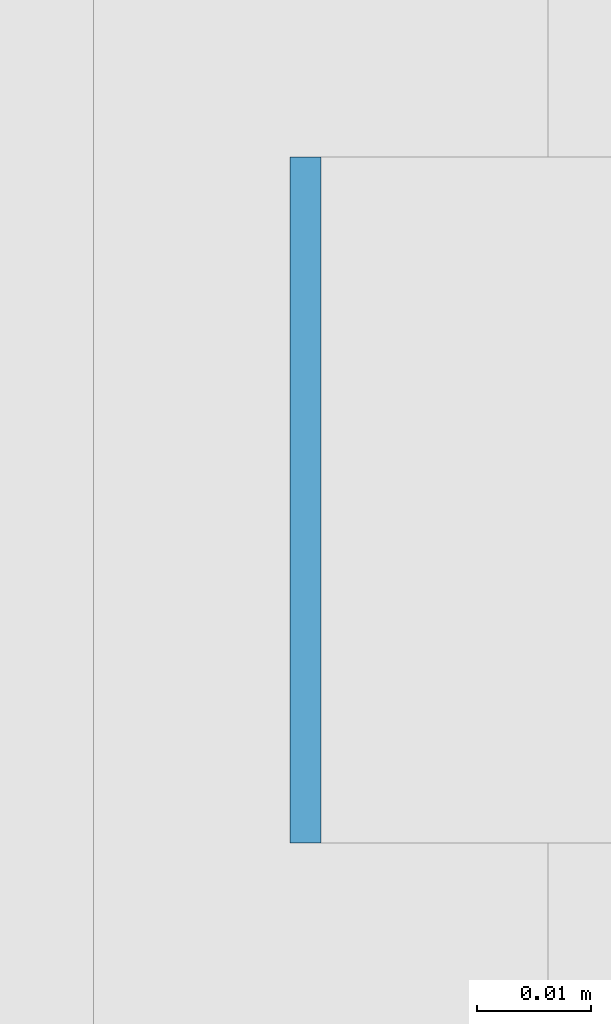
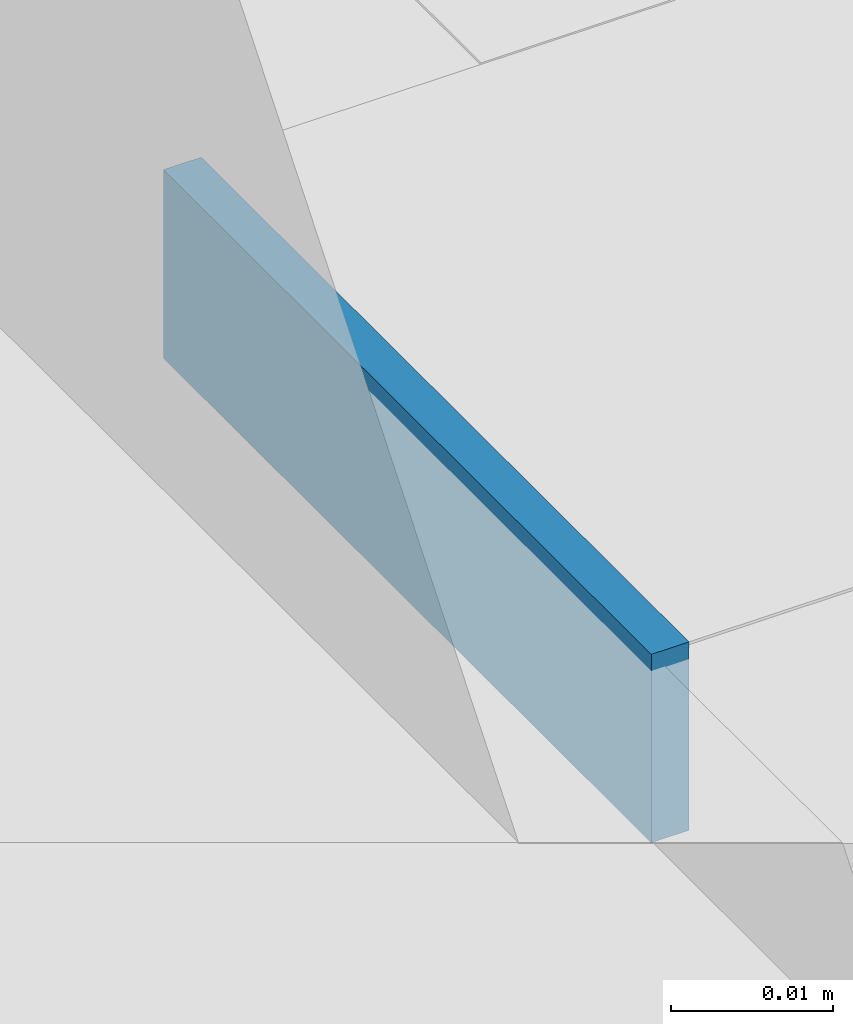
# One storey, part 489 of 646: 1 discrete accessory.
"""IFC4 building model written with IfcOpenShell, lengths in metres."""

from ifc_helpers import new_model, si_unit, direction, frame, origin, origin_2d, place, context, subcontext, project, spatial, rectangle, extrude, material, type_object, element, save


model = new_model("IFC4")

# Units and contexts
model_context = context("Model", 3, precision=1e-05, world=origin(), true_north=direction((0.0, 1.0)))
body_context = subcontext(model_context, "Body", "Model", "MODEL_VIEW")
ifc_project = project(units=[si_unit("LENGTHUNIT", "METRE"), si_unit("AREAUNIT", "SQUARE_METRE"), si_unit("VOLUMEUNIT", "CUBIC_METRE"), si_unit("PLANEANGLEUNIT", "RADIAN"), si_unit("MASSUNIT", "GRAM", prefix="KILO")], contexts=[model_context])

# Site, building, storey
site_placement = place(None, origin())
site = spatial("IfcSite", under=ifc_project, at=site_placement, CompositionType="ELEMENT")
building_placement = place(site_placement, origin())
building = spatial("IfcBuilding", under=site, at=building_placement, Name="Silverbay Arena", CompositionType="ELEMENT")
storey_placement = place(building_placement, frame((0.0, 0.0, 33.5)))
storey = spatial("IfcBuildingStorey", under=building, at=storey_placement, Name="L05", CompositionType="ELEMENT", Elevation=33.5)

# Discrete accessory
ifc_material = material(Name="Steel S355", Category="steel")
discrete_accessory_type = type_object("IfcDiscreteAccessoryType", Name="Steel bracket plate", PredefinedType="BRACKET", material=ifc_material)
discrete_accessory_placement = place(storey_placement, frame((207.128662109375, 61.71435546875, 12.98583984375), z_axis=(0.0, 0.0, 1.0), x_axis=(1.0, 0.0, 0.0)))
element("IfcDiscreteAccessory", 1, at=discrete_accessory_placement, inside=storey, type_object=discrete_accessory_type, Name="Curtain wall packing plate", PredefinedType="BRACKET", context=body_context, shape_type="SweptSolid", body=[
    extrude(rectangle(XDim=0.002685546875, YDim=0.06005859375, at=origin_2d()), origin(), (0.0, 0.0, 1.0), 0.01416015625),
])

save(model, "model.ifc")
